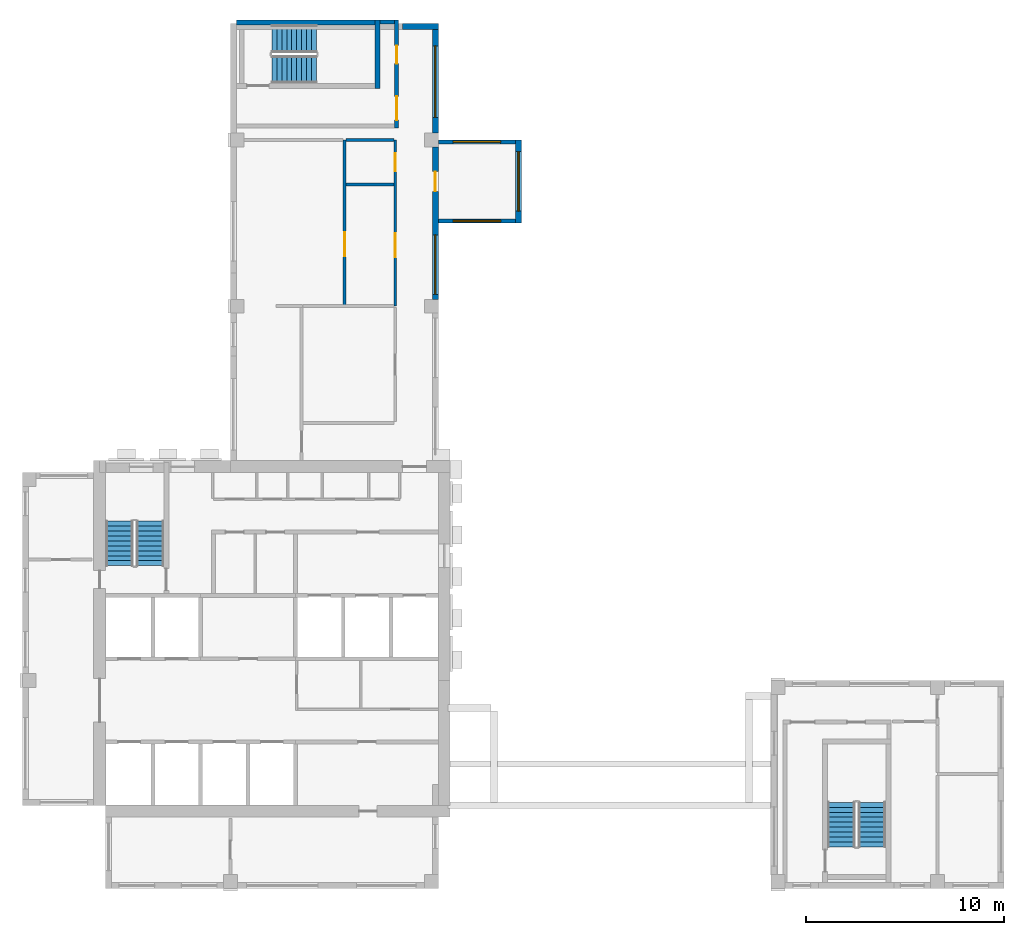
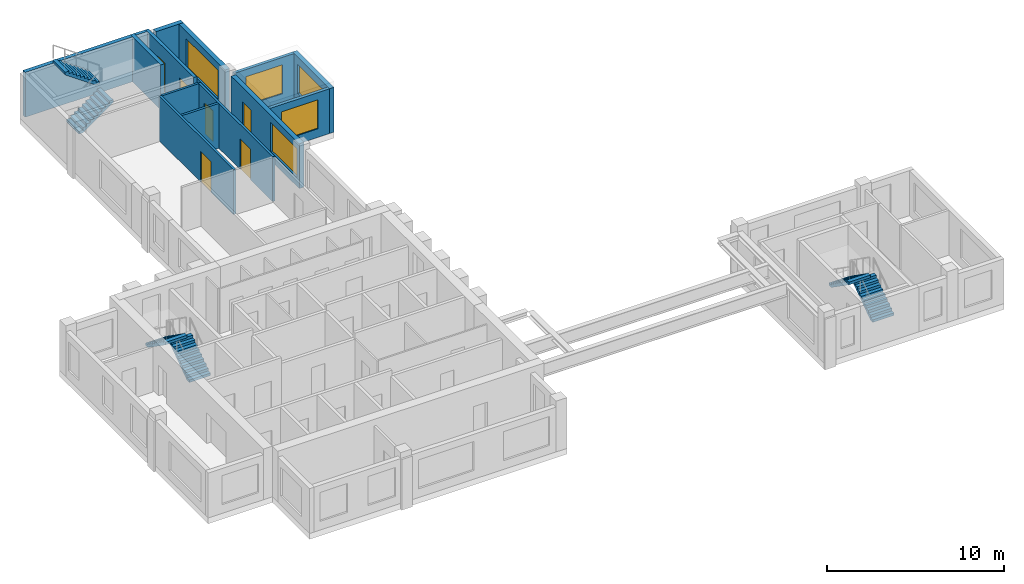
# One storey, part 5 of 8: 14 walls, 6 doors, 6 stair flights, 5 windows, 11 openings, 3 elements without a shape of their own.
"""IFC4 building model written with IfcOpenShell, lengths in metres."""

from ifc_helpers import new_model, si_unit, direction, frame, frame_2d, origin, place, context, subcontext, project, spatial, polyline, rectangle, outline, extrude, source, transform, mapped, material, layer, layer_set, type_object, element, fill, aggregate, save


model = new_model("IFC4")

# Units and contexts
model_context = context("Model", 3, precision=1e-05, world=origin(), true_north=direction((0.0, 1.0)))
body_context = subcontext(model_context, "Body", "Model", "MODEL_VIEW")
ifc_project = project(units=[si_unit("LENGTHUNIT", "METRE"), si_unit("AREAUNIT", "SQUARE_METRE"), si_unit("VOLUMEUNIT", "CUBIC_METRE"), si_unit("PLANEANGLEUNIT", "RADIAN"), si_unit("MASSUNIT", "GRAM", prefix="KILO")], contexts=[model_context])

# Site, building, storey
site_placement = place(None, origin())
site = spatial("IfcSite", under=ifc_project, at=site_placement, CompositionType="ELEMENT")
building_placement = place(site_placement, origin())
building = spatial("IfcBuilding", under=site, at=building_placement, Name="Aurelian Terraces", CompositionType="ELEMENT")
storey_placement = place(building_placement, frame((0.0, 0.0, 302.0)))
storey = spatial("IfcBuildingStorey", under=building, at=storey_placement, Name="L69", CompositionType="ELEMENT", Elevation=302.0)

# Wall, opening, window
ifc_material_1 = material(Name="Concrete fc' 40 MPa", Category="concrete")
ifc_layer_1 = layer(ifc_material_1, 0.3)
ifc_layer_set_1 = layer_set([ifc_layer_1], Name="BOX BEARING WALL 300")
wall_type_1 = type_object("IfcWallType", Name="BOX BEARING WALL 300", PredefinedType="SOLIDWALL", material=ifc_layer_set_1)
wall_1_placement = place(storey_placement, frame((25.05, 33.6, 0.0), z_axis=(0.0, 0.0, 1.0), x_axis=(0.0, 1.0, 0.0)))
wall_1 = element("IfcWall", 1, at=wall_1_placement, inside=storey, type_object=wall_type_1, Name="Box wall L69 J90", PredefinedType="SOLIDWALL", context=body_context, shape_type="SweptSolid", body=[
    extrude(rectangle(XDim=4.2, YDim=0.3, at=frame_2d((2.1, 0.0))), origin(), (0.0, 0.0, 1.0), 3.1),
])
shared_shape_1 = source(origin(), body_context, "Body", "SweptSolid", [
    extrude(rectangle(XDim=3.0, YDim=2.0, at=frame_2d((1.5, 1.0))), frame((0.0, 0.16, 0.0), z_axis=(0.0, -1.0, 0.0), x_axis=(1.0, 0.0, 0.0)), (0.0, 0.0, 1.0), 0.32),
])
opening_1_placement = place(wall_1_placement, frame((0.6, 0.0, 0.6)))
opening_1 = element("IfcOpeningElement", 2, at=opening_1_placement, cuts=wall_1, Name="Opening W3020", PredefinedType="OPENING", context=body_context, shape_type="MappedRepresentation", body=[
    mapped(shared_shape_1, transform((0.0, 0.0, 0.0), scale=1.0)),
])
ifc_material_2 = material(Name="Clear glazing", Category="glass")
window_type_1 = type_object("IfcWindowType", Name="W-3000x2000", PartitioningType="SINGLE_PANEL", PredefinedType="WINDOW", material=ifc_material_2)
shared_shape_2 = source(origin(), body_context, "Body", "SweptSolid", [
    extrude(rectangle(XDim=3.0, YDim=2.0, at=frame_2d((1.5, 1.0))), frame((0.0, 0.03, 0.0), z_axis=(0.0, -1.0, 0.0), x_axis=(1.0, 0.0, 0.0)), (0.0, 0.0, 1.0), 0.06),
])
window_1_placement = place(opening_1_placement, origin())
window_1 = element("IfcWindow", 3, at=window_1_placement, inside=storey, type_object=window_type_1, Name="Window L69 J90-F1", OverallHeight=2.0, OverallWidth=3.0, PartitioningType="SINGLE_PANEL", PredefinedType="WINDOW", context=body_context, shape_type="MappedRepresentation", body=[
    mapped(shared_shape_2, transform((0.0, 0.0, 0.0), scale=1.0)),
])
fill(opening_1, window_1)

# Wall, openings, window, door
ifc_material_3 = material(Name="Terracotta rainscreen cladding", Category="masonry")
ifc_layer_2 = layer(ifc_material_3, 0.3)
ifc_layer_set_2 = layer_set([ifc_layer_2], Name="EW-300")
wall_type_2 = type_object("IfcWallType", Name="EW-300", PredefinedType="STANDARD", material=ifc_layer_set_2)
shared_shape_3 = source(origin(), body_context, "Body", "SweptSolid", [
    extrude(rectangle(XDim=7.7, YDim=0.3, at=frame_2d((3.85, 0.0))), origin(), (0.0, 0.0, 1.0), 3.1),
])
wall_2_placement = place(storey_placement, frame((20.85, 29.75, 0.0), z_axis=(0.0, 0.0, 1.0), x_axis=(0.0, 1.0, 0.0)))
wall_2 = element("IfcWall", 4, at=wall_2_placement, inside=storey, type_object=wall_type_2, Name="External wall L69 F02.7", PredefinedType="STANDARD", context=body_context, shape_type="MappedRepresentation", body=[
    mapped(shared_shape_3, transform((0.0, 0.0, 0.0), scale=1.0)),
])
opening_2_placement = place(wall_2_placement, frame((0.25, 0.0, 0.6)))
opening_2 = element("IfcOpeningElement", 5, at=opening_2_placement, cuts=wall_2, Name="Opening W3020", PredefinedType="OPENING", context=body_context, shape_type="MappedRepresentation", body=[
    mapped(shared_shape_1, transform((0.0, 0.0, 0.0), scale=1.0)),
])
shared_shape_4 = source(origin(), body_context, "Body", "SweptSolid", [
    extrude(rectangle(XDim=1.0, YDim=2.1, at=frame_2d((0.5, 1.05))), frame((0.0, 0.16, 0.0), z_axis=(0.0, -1.0, 0.0), x_axis=(1.0, 0.0, 0.0)), (0.0, 0.0, 1.0), 0.32),
])
opening_3_placement = place(wall_2_placement, frame((5.45, 0.0, 0.0)))
opening_3 = element("IfcOpeningElement", 6, at=opening_3_placement, cuts=wall_2, Name="Opening 869001", PredefinedType="OPENING", context=body_context, shape_type="MappedRepresentation", body=[
    mapped(shared_shape_4, transform((0.0, 0.0, 0.0), scale=1.0)),
])
window_2_placement = place(opening_2_placement, origin())
window_2 = element("IfcWindow", 7, at=window_2_placement, inside=storey, type_object=window_type_1, Name="Window L69 L69-F02-07-0", OverallHeight=2.0, OverallWidth=3.0, PartitioningType="SINGLE_PANEL", PredefinedType="WINDOW", context=body_context, shape_type="MappedRepresentation", body=[
    mapped(shared_shape_2, transform((0.0, 0.0, 0.0), scale=1.0)),
])
fill(opening_2, window_2)
ifc_material_4 = material(Name="Timber door leaf", Category="wood")
door_type_1 = type_object("IfcDoorType", Name="Room door 1000x2100 left", OperationType="SINGLE_SWING_LEFT", PredefinedType="DOOR", material=ifc_material_4)
shared_shape_5 = source(origin(), body_context, "Body", "SweptSolid", [
    extrude(rectangle(XDim=1.0, YDim=2.1, at=frame_2d((0.5, 1.05))), frame((0.0, 0.025, 0.0), z_axis=(0.0, -1.0, 0.0), x_axis=(1.0, 0.0, 0.0)), (0.0, 0.0, 1.0), 0.05),
])
door_1_placement = place(opening_3_placement, origin())
door_1 = element("IfcDoor", 8, at=door_1_placement, inside=storey, type_object=door_type_1, Name="Door 869001", OperationType="SINGLE_SWING_LEFT", OverallHeight=2.1, OverallWidth=1.0, PredefinedType="DOOR", context=body_context, shape_type="MappedRepresentation", body=[
    mapped(shared_shape_5, transform((0.0, 0.0, 0.0), scale=1.0)),
])
fill(opening_3, door_1)

# Wall, opening, window
ifc_layer_3 = layer(ifc_material_1, 0.2)
ifc_layer_set_3 = layer_set([ifc_layer_3], Name="BOX BEARING WALL 200")
wall_type_3 = type_object("IfcWallType", Name="BOX BEARING WALL 200", PredefinedType="SOLIDWALL", material=ifc_layer_set_3)
shared_shape_6 = source(origin(), body_context, "Body", "SweptSolid", [
    extrude(rectangle(XDim=3.9, YDim=0.2, at=frame_2d((1.95, 0.0))), origin(), (0.0, 0.0, 1.0), 3.1),
])
wall_3_placement = place(storey_placement, frame((21.0, 33.7, 0.0), z_axis=(0.0, 0.0, 1.0), x_axis=(1.0, 0.0, 0.0)))
wall_3 = element("IfcWall", 9, at=wall_3_placement, inside=storey, type_object=wall_type_3, Name="Box return L69 J90.1", PredefinedType="SOLIDWALL", context=body_context, shape_type="MappedRepresentation", body=[
    mapped(shared_shape_6, transform((0.0, 0.0, 0.0), scale=1.0)),
])
shared_shape_7 = source(origin(), body_context, "Body", "SweptSolid", [
    extrude(rectangle(XDim=2.4, YDim=2.0, at=frame_2d((1.2, 1.0))), frame((0.0, 0.11, 0.0), z_axis=(0.0, -1.0, 0.0), x_axis=(1.0, 0.0, 0.0)), (0.0, 0.0, 1.0), 0.22),
])
opening_4_placement = place(wall_3_placement, frame((0.75, 0.0, 0.6)))
opening_4 = element("IfcOpeningElement", 10, at=opening_4_placement, cuts=wall_3, Name="Opening W2420", PredefinedType="OPENING", context=body_context, shape_type="MappedRepresentation", body=[
    mapped(shared_shape_7, transform((0.0, 0.0, 0.0), scale=1.0)),
])
window_type_2 = type_object("IfcWindowType", Name="W-2400x2000", PartitioningType="SINGLE_PANEL", PredefinedType="WINDOW", material=ifc_material_2)
shared_shape_8 = source(origin(), body_context, "Body", "SweptSolid", [
    extrude(rectangle(XDim=2.4, YDim=2.0, at=frame_2d((1.2, 1.0))), frame((0.0, 0.03, 0.0), z_axis=(0.0, -1.0, 0.0), x_axis=(1.0, 0.0, 0.0)), (0.0, 0.0, 1.0), 0.06),
])
window_3_placement = place(opening_4_placement, origin())
window_3 = element("IfcWindow", 11, at=window_3_placement, inside=storey, type_object=window_type_2, Name="Window L69 J90-S1", OverallHeight=2.0, OverallWidth=2.4, PartitioningType="SINGLE_PANEL", PredefinedType="WINDOW", context=body_context, shape_type="MappedRepresentation", body=[
    mapped(shared_shape_8, transform((0.0, 0.0, 0.0), scale=1.0)),
])
fill(opening_4, window_3)

wall_4_placement = place(storey_placement, frame((21.0, 37.7, 0.0), z_axis=(0.0, 0.0, 1.0), x_axis=(1.0, 0.0, 0.0)))
wall_4 = element("IfcWall", 12, at=wall_4_placement, inside=storey, type_object=wall_type_3, Name="Box return L69 J90.2", PredefinedType="SOLIDWALL", context=body_context, shape_type="MappedRepresentation", body=[
    mapped(shared_shape_6, transform((0.0, 0.0, 0.0), scale=1.0)),
])
opening_5_placement = place(wall_4_placement, frame((0.75, 0.0, 0.6)))
opening_5 = element("IfcOpeningElement", 13, at=opening_5_placement, cuts=wall_4, Name="Opening W2420", PredefinedType="OPENING", context=body_context, shape_type="MappedRepresentation", body=[
    mapped(shared_shape_7, transform((0.0, 0.0, 0.0), scale=1.0)),
])
window_4_placement = place(opening_5_placement, origin())
window_4 = element("IfcWindow", 14, at=window_4_placement, inside=storey, type_object=window_type_2, Name="Window L69 J90-S2", OverallHeight=2.0, OverallWidth=2.4, PartitioningType="SINGLE_PANEL", PredefinedType="WINDOW", context=body_context, shape_type="MappedRepresentation", body=[
    mapped(shared_shape_8, transform((0.0, 0.0, 0.0), scale=1.0)),
])
fill(opening_5, window_4)

shared_shape_9 = source(origin(), body_context, "Body", "SweptSolid", [
    extrude(rectangle(XDim=5.53, YDim=0.3, at=frame_2d((2.765, 0.0))), origin(), (0.0, 0.0, 1.0), 3.1),
])
wall_5_placement = place(storey_placement, frame((20.85, 38.15, 0.0), z_axis=(0.0, 0.0, 1.0), x_axis=(0.0, 1.0, 0.0)))
wall_5 = element("IfcWall", 15, at=wall_5_placement, inside=storey, type_object=wall_type_2, Name="External wall L69 F02.8", PredefinedType="STANDARD", context=body_context, shape_type="MappedRepresentation", body=[
    mapped(shared_shape_9, transform((0.0, 0.0, 0.0), scale=1.0)),
])
shared_shape_10 = source(origin(), body_context, "Body", "SweptSolid", [
    extrude(rectangle(XDim=3.6, YDim=2.0, at=frame_2d((1.8, 1.0))), frame((0.0, 0.16, 0.0), z_axis=(0.0, -1.0, 0.0), x_axis=(1.0, 0.0, 0.0)), (0.0, 0.0, 1.0), 0.32),
])
opening_6_placement = place(wall_5_placement, frame((0.79, 0.0, 0.6)))
opening_6 = element("IfcOpeningElement", 16, at=opening_6_placement, cuts=wall_5, Name="Opening W3620", PredefinedType="OPENING", context=body_context, shape_type="MappedRepresentation", body=[
    mapped(shared_shape_10, transform((0.0, 0.0, 0.0), scale=1.0)),
])
window_type_3 = type_object("IfcWindowType", Name="W-3600x2000", PartitioningType="SINGLE_PANEL", PredefinedType="WINDOW", material=ifc_material_2)
shared_shape_11 = source(origin(), body_context, "Body", "SweptSolid", [
    extrude(rectangle(XDim=3.6, YDim=2.0, at=frame_2d((1.8, 1.0))), frame((0.0, 0.03, 0.0), z_axis=(0.0, -1.0, 0.0), x_axis=(1.0, 0.0, 0.0)), (0.0, 0.0, 1.0), 0.06),
])
window_5_placement = place(opening_6_placement, origin())
window_5 = element("IfcWindow", 17, at=window_5_placement, inside=storey, type_object=window_type_3, Name="Window L69 L69-F02-08-0", OverallHeight=2.0, OverallWidth=3.6, PartitioningType="SINGLE_PANEL", PredefinedType="WINDOW", context=body_context, shape_type="MappedRepresentation", body=[
    mapped(shared_shape_11, transform((0.0, 0.0, 0.0), scale=1.0)),
])
fill(opening_6, window_5)

# Walls
shared_shape_12 = source(origin(), body_context, "Body", "SweptSolid", [
    extrude(rectangle(XDim=1.8, YDim=0.3, at=frame_2d((0.9, 0.0))), origin(), (0.0, 0.0, 1.0), 3.1),
])
wall_6_placement = place(storey_placement, frame((21.0, 43.53, 0.0), z_axis=(0.0, 0.0, 1.0), x_axis=(-1.0, 0.0, 0.0)))
element("IfcWall", 18, at=wall_6_placement, inside=storey, type_object=wall_type_2, Name="External wall L69 F03.9", PredefinedType="STANDARD", context=body_context, shape_type="MappedRepresentation", body=[
    mapped(shared_shape_12, transform((0.0, 0.0, 0.0), scale=1.0)),
])
ifc_layer_4 = layer(ifc_material_1, 0.25)
ifc_layer_set_4 = layer_set([ifc_layer_4], Name="Stair enclosure wall 250")
wall_type_4 = type_object("IfcWallType", Name="Stair enclosure wall 250", PredefinedType="SOLIDWALL", material=ifc_layer_set_4)
shared_shape_13 = source(origin(), body_context, "Body", "SweptSolid", [
    extrude(rectangle(XDim=7.0, YDim=0.25, at=frame_2d((3.5, 0.0))), origin(), (0.0, 0.0, 1.0), 3.1),
])
wall_7_placement = place(storey_placement, frame((10.8, 43.725, 0.0), z_axis=(0.0, 0.0, 1.0), x_axis=(1.0, 0.0, 0.0)))
element("IfcWall", 19, at=wall_7_placement, inside=storey, type_object=wall_type_4, Name="L69 core wall ST-S3U-E", PredefinedType="SOLIDWALL", context=body_context, shape_type="MappedRepresentation", body=[
    mapped(shared_shape_13, transform((0.0, 0.0, 0.0), scale=1.0)),
])
shared_shape_14 = source(origin(), body_context, "Body", "SweptSolid", [
    extrude(rectangle(XDim=3.45, YDim=0.25, at=frame_2d((1.725, 0.0))), origin(), (0.0, 0.0, 1.0), 3.1),
])
wall_8_placement = place(storey_placement, frame((17.925, 40.4, 0.0), z_axis=(0.0, 0.0, 1.0), x_axis=(0.0, 1.0, 0.0)))
element("IfcWall", 20, at=wall_8_placement, inside=storey, type_object=wall_type_4, Name="L69 core wall ST-S3U-N", PredefinedType="SOLIDWALL", context=body_context, shape_type="MappedRepresentation", body=[
    mapped(shared_shape_14, transform((0.0, 0.0, 0.0), scale=1.0)),
])

# Wall, openings, doors
ifc_material_5 = material(Name="Gypsum board on steel studs", Category="steel")
ifc_layer_5 = layer(ifc_material_5, 0.2)
ifc_layer_set_5 = layer_set([ifc_layer_5], Name="Core partition 200")
wall_type_5 = type_object("IfcWallType", Name="Core partition 200", PredefinedType="PARTITIONING", material=ifc_layer_set_5)
shared_shape_15 = source(origin(), body_context, "Body", "SweptSolid", [
    extrude(rectangle(XDim=5.45, YDim=0.2, at=frame_2d((2.725, 0.0))), origin(), (0.0, 0.0, 1.0), 3.1),
])
wall_9_placement = place(storey_placement, frame((18.9, 38.4, 0.0), z_axis=(0.0, 0.0, 1.0), x_axis=(0.0, 1.0, 0.0)))
wall_9 = element("IfcWall", 21, at=wall_9_placement, inside=storey, type_object=wall_type_5, Name="L69 core wall ST-S3U-BN", PredefinedType="PARTITIONING", context=body_context, shape_type="MappedRepresentation", body=[
    mapped(shared_shape_15, transform((0.0, 0.0, 0.0), scale=1.0)),
])
shared_shape_16 = source(origin(), body_context, "Body", "SweptSolid", [
    extrude(rectangle(XDim=1.2, YDim=2.1, at=frame_2d((0.6, 1.05))), frame((0.0, 0.11, 0.0), z_axis=(0.0, -1.0, 0.0), x_axis=(1.0, 0.0, 0.0)), (0.0, 0.0, 1.0), 0.22),
])
opening_7_placement = place(wall_9_placement, frame((0.4, 0.0, 0.0)))
opening_7 = element("IfcOpeningElement", 22, at=opening_7_placement, cuts=wall_9, Name="Opening 67226", PredefinedType="OPENING", context=body_context, shape_type="MappedRepresentation", body=[
    mapped(shared_shape_16, transform((0.0, 0.0, 0.0), scale=1.0)),
])
shared_shape_17 = source(origin(), body_context, "Body", "SweptSolid", [
    extrude(rectangle(XDim=0.9, YDim=2.1, at=frame_2d((0.45, 1.05))), frame((0.0, 0.11, 0.0), z_axis=(0.0, -1.0, 0.0), x_axis=(1.0, 0.0, 0.0)), (0.0, 0.0, 1.0), 0.22),
])
opening_8_placement = place(wall_9_placement, frame((3.25, 0.0, 0.0)))
opening_8 = element("IfcOpeningElement", 23, at=opening_8_placement, cuts=wall_9, Name="Opening 67227", PredefinedType="OPENING", context=body_context, shape_type="MappedRepresentation", body=[
    mapped(shared_shape_17, transform((0.0, 0.0, 0.0), scale=1.0)),
])
ifc_material_6 = material(Name="Steel door leaf", Category="steel")
door_type_2 = type_object("IfcDoorType", Name="Core riser door 900x2100 right", OperationType="SINGLE_SWING_RIGHT", PredefinedType="DOOR", material=ifc_material_6)
shared_shape_18 = source(origin(), body_context, "Body", "SweptSolid", [
    extrude(rectangle(XDim=0.9, YDim=2.1, at=frame_2d((0.45, 1.05))), frame((0.0, 0.025, 0.0), z_axis=(0.0, -1.0, 0.0), x_axis=(1.0, 0.0, 0.0)), (0.0, 0.0, 1.0), 0.05),
])
door_2_placement = place(opening_8_placement, origin())
door_2 = element("IfcDoor", 24, at=door_2_placement, inside=storey, type_object=door_type_2, Name="Riser door 67227", OperationType="SINGLE_SWING_RIGHT", OverallHeight=2.1, OverallWidth=0.9, PredefinedType="DOOR", context=body_context, shape_type="MappedRepresentation", body=[
    mapped(shared_shape_18, transform((0.0, 0.0, 0.0), scale=1.0)),
])
fill(opening_8, door_2)
door_type_3 = type_object("IfcDoorType", Name="Core fire door 1200x2100", OperationType="SINGLE_SWING_LEFT", PredefinedType="DOOR", material=ifc_material_6)
shared_shape_19 = source(origin(), body_context, "Body", "SweptSolid", [
    extrude(rectangle(XDim=1.2, YDim=2.1, at=frame_2d((0.6, 1.05))), frame((0.0, 0.025, 0.0), z_axis=(0.0, -1.0, 0.0), x_axis=(1.0, 0.0, 0.0)), (0.0, 0.0, 1.0), 0.05),
])
door_3_placement = place(opening_7_placement, origin())
door_3 = element("IfcDoor", 25, at=door_3_placement, inside=storey, type_object=door_type_3, Name="Vestibule door 67226", OperationType="SINGLE_SWING_LEFT", OverallHeight=2.1, OverallWidth=1.2, PredefinedType="DOOR", context=body_context, shape_type="MappedRepresentation", body=[
    mapped(shared_shape_19, transform((0.0, 0.0, 0.0), scale=1.0)),
])
fill(opening_7, door_3)

# Wall
shared_shape_20 = source(origin(), body_context, "Body", "SweptSolid", [
    extrude(rectangle(XDim=0.75, YDim=0.2, at=frame_2d((0.375, 0.0))), origin(), (0.0, 0.0, 1.0), 3.1),
])
wall_10_placement = place(storey_placement, frame((18.05, 43.75, 0.0), z_axis=(0.0, 0.0, 1.0), x_axis=(1.0, 0.0, 0.0)))
element("IfcWall", 26, at=wall_10_placement, inside=storey, type_object=wall_type_5, Name="L69 core wall ST-S3U-RE", PredefinedType="PARTITIONING", context=body_context, shape_type="MappedRepresentation", body=[
    mapped(shared_shape_20, transform((0.0, 0.0, 0.0), scale=1.0)),
])

# Wall, opening, door
ifc_layer_6 = layer(ifc_material_5, 0.15)
ifc_layer_set_6 = layer_set([ifc_layer_6], Name="Partition 150")
wall_type_6 = type_object("IfcWallType", Name="Partition 150", PredefinedType="PARTITIONING", material=ifc_layer_set_6)
shared_shape_21 = source(origin(), body_context, "Body", "SweptSolid", [
    extrude(rectangle(XDim=8.4, YDim=0.15, at=frame_2d((4.2, 0.0))), origin(), (0.0, 0.0, 1.0), 3.1),
])
wall_11_placement = place(storey_placement, frame((16.275, 29.4, 0.0), z_axis=(0.0, 0.0, 1.0), x_axis=(0.0, 1.0, 0.0)))
wall_11 = element("IfcWall", 27, at=wall_11_placement, inside=storey, type_object=wall_type_6, Name="Partition", PredefinedType="PARTITIONING", context=body_context, shape_type="MappedRepresentation", body=[
    mapped(shared_shape_21, transform((0.0, 0.0, 0.0), scale=1.0)),
])
shared_shape_22 = source(origin(), body_context, "Body", "SweptSolid", [
    extrude(rectangle(XDim=1.2, YDim=2.1, at=frame_2d((0.6, 1.05))), frame((0.0, 0.085, 0.0), z_axis=(0.0, -1.0, 0.0), x_axis=(1.0, 0.0, 0.0)), (0.0, 0.0, 1.0), 0.17),
])
opening_9_placement = place(wall_11_placement, frame((2.5242, 0.0, 0.0)))
opening_9 = element("IfcOpeningElement", 28, at=opening_9_placement, cuts=wall_11, Name="Opening 769007", PredefinedType="OPENING", context=body_context, shape_type="MappedRepresentation", body=[
    mapped(shared_shape_22, transform((0.0, 0.0, 0.0), scale=1.0)),
])
door_type_4 = type_object("IfcDoorType", Name="Room door 1200x2100 left", OperationType="SINGLE_SWING_LEFT", PredefinedType="DOOR", material=ifc_material_4)
door_4_placement = place(opening_9_placement, origin())
door_4 = element("IfcDoor", 29, at=door_4_placement, inside=storey, type_object=door_type_4, Name="Door 769007", OperationType="SINGLE_SWING_LEFT", OverallHeight=2.1, OverallWidth=1.2, PredefinedType="DOOR", context=body_context, shape_type="MappedRepresentation", body=[
    mapped(shared_shape_19, transform((0.0, 0.0, 0.0), scale=1.0)),
])
fill(opening_9, door_4)

# Wall, openings, doors
ifc_layer_7 = layer(ifc_material_5, 0.15)
ifc_layer_set_7 = layer_set([ifc_layer_7], Name="Fire partition 150")
wall_type_7 = type_object("IfcWallType", Name="Fire partition 150", PredefinedType="PARTITIONING", material=ifc_layer_set_7)
wall_12_placement = place(storey_placement, frame((18.825, 29.4, 0.0), z_axis=(0.0, 0.0, 1.0), x_axis=(0.0, 1.0, 0.0)))
wall_12 = element("IfcWall", 30, at=wall_12_placement, inside=storey, type_object=wall_type_7, Name="Corridor wall", PredefinedType="PARTITIONING", context=body_context, shape_type="MappedRepresentation", body=[
    mapped(shared_shape_21, transform((0.0, 0.0, 0.0), scale=1.0)),
])
opening_10_placement = place(wall_12_placement, frame((2.4742, 0.0, 0.0)))
opening_10 = element("IfcOpeningElement", 31, at=opening_10_placement, cuts=wall_12, Name="Opening 769006", PredefinedType="OPENING", context=body_context, shape_type="MappedRepresentation", body=[
    mapped(shared_shape_22, transform((0.0, 0.0, 0.0), scale=1.0)),
])
shared_shape_23 = source(origin(), body_context, "Body", "SweptSolid", [
    extrude(rectangle(XDim=0.9, YDim=2.1, at=frame_2d((0.45, 1.05))), frame((0.0, 0.085, 0.0), z_axis=(0.0, -1.0, 0.0), x_axis=(1.0, 0.0, 0.0)), (0.0, 0.0, 1.0), 0.17),
])
opening_11_placement = place(wall_12_placement, frame((6.8242, 0.0, 0.0)))
opening_11 = element("IfcOpeningElement", 32, at=opening_11_placement, cuts=wall_12, Name="Opening 769008", PredefinedType="OPENING", context=body_context, shape_type="MappedRepresentation", body=[
    mapped(shared_shape_23, transform((0.0, 0.0, 0.0), scale=1.0)),
])
door_type_5 = type_object("IfcDoorType", Name="Entrance fire door 900x2100 right", OperationType="SINGLE_SWING_RIGHT", PredefinedType="DOOR", material=ifc_material_6)
door_5_placement = place(opening_11_placement, origin())
door_5 = element("IfcDoor", 33, at=door_5_placement, inside=storey, type_object=door_type_5, Name="Door 769008", OperationType="SINGLE_SWING_RIGHT", OverallHeight=2.1, OverallWidth=0.9, PredefinedType="DOOR", context=body_context, shape_type="MappedRepresentation", body=[
    mapped(shared_shape_18, transform((0.0, 0.0, 0.0), scale=1.0)),
])
fill(opening_11, door_5)
door_type_6 = type_object("IfcDoorType", Name="Entrance fire door 1200x2100 right", OperationType="SINGLE_SWING_RIGHT", PredefinedType="DOOR", material=ifc_material_6)
door_6_placement = place(opening_10_placement, origin())
door_6 = element("IfcDoor", 34, at=door_6_placement, inside=storey, type_object=door_type_6, Name="Door 769006", OperationType="SINGLE_SWING_RIGHT", OverallHeight=2.1, OverallWidth=1.2, PredefinedType="DOOR", context=body_context, shape_type="MappedRepresentation", body=[
    mapped(shared_shape_19, transform((0.0, 0.0, 0.0), scale=1.0)),
])
fill(opening_10, door_6)

# Walls
shared_shape_24 = source(origin(), body_context, "Body", "SweptSolid", [
    extrude(rectangle(XDim=2.4, YDim=0.15, at=frame_2d((1.2, 0.0))), origin(), (0.0, 0.0, 1.0), 3.1),
])
wall_13_placement = place(storey_placement, frame((18.75, 35.5483, 0.0), z_axis=(0.0, 0.0, 1.0), x_axis=(-1.0, 0.0, 0.0)))
element("IfcWall", 35, at=wall_13_placement, inside=storey, type_object=wall_type_6, Name="Partition", PredefinedType="PARTITIONING", context=body_context, shape_type="MappedRepresentation", body=[
    mapped(shared_shape_24, transform((0.0, 0.0, 0.0), scale=1.0)),
])
wall_14_placement = place(storey_placement, frame((18.75, 37.8, 0.0), z_axis=(0.0, 0.0, 1.0), x_axis=(-1.0, 0.0, 0.0)))
element("IfcWall", 36, at=wall_14_placement, inside=storey, type_object=wall_type_7, Name="Party wall", PredefinedType="PARTITIONING", context=body_context, shape_type="MappedRepresentation", body=[
    mapped(shared_shape_24, transform((0.0, 0.0, 0.0), scale=1.0)),
])

# Stair, stair flights
stair_type = type_object("IfcStairType", Name="Stair 1400", PredefinedType="HALF_TURN_STAIR", material=ifc_material_1)
stair_1_placement = place(storey_placement, origin())
stair_1 = element("IfcStair", 37, at=stair_1_placement, inside=storey, type_object=stair_type, Name="L69 S1", PredefinedType="HALF_TURN_STAIR")
stair_flight_type = type_object("IfcStairFlightType", Name="Stair flight 1400", PredefinedType="STRAIGHT", material=ifc_material_1)
shared_shape_25 = source(origin(), body_context, "Body", "SweptSolid", [
    extrude(outline(polyline([(0.0, 0.0), (0.0, 0.175), (0.25, 0.175), (0.25, 0.35), (0.5, 0.35), (0.5, 0.525), (0.75, 0.525), (0.75, 0.7), (1.0, 0.7), (1.0, 0.875), (1.25, 0.875), (1.25, 1.05), (1.5, 1.05), (1.5, 1.225), (1.75, 1.225), (1.75, 1.4), (2.0, 1.4), (2.0, 1.575), (2.25, 1.575), (2.25, 1.75), (2.25, 1.3919), (0.2616, 0.0), (0.0, 0.0)])), frame((0.0, 0.7, 0.0), z_axis=(0.0, -1.0, 0.0), x_axis=(1.0, 0.0, 0.0)), (0.0, 0.0, 1.0), 1.4),
])
stair_flight_1_placement = place(storey_placement, frame((6.45, 16.3, 2e-08), z_axis=(0.0, 0.0, 1.0), x_axis=(0.0, 1.0, 0.0)))
stair_flight_1 = element("IfcStairFlight", 38, at=stair_flight_1_placement, type_object=stair_flight_type, Name="S1 flight 1", NumberOfRisers=10, NumberOfTreads=9, PredefinedType="STRAIGHT", RiserHeight=0.175, TreadLength=0.25, context=body_context, shape_type="MappedRepresentation", body=[
    mapped(shared_shape_25, transform((0.0, 0.0, 0.0), scale=1.0)),
])
stair_flight_2_placement = place(storey_placement, frame((4.9, 18.55, 1.75000002), z_axis=(0.0, 0.0, 1.0), x_axis=(0.0, -1.0, 0.0)))
stair_flight_2 = element("IfcStairFlight", 39, at=stair_flight_2_placement, type_object=stair_flight_type, Name="S1 flight 2", NumberOfRisers=10, NumberOfTreads=9, PredefinedType="STRAIGHT", RiserHeight=0.175, TreadLength=0.25, context=body_context, shape_type="MappedRepresentation", body=[
    mapped(shared_shape_25, transform((0.0, 0.0, 0.0), scale=1.0)),
])
aggregate(stair_1, [stair_flight_1, stair_flight_2])

stair_2_placement = place(storey_placement, origin())
stair_2 = element("IfcStair", 40, at=stair_2_placement, inside=storey, type_object=stair_type, Name="L69 S2", PredefinedType="HALF_TURN_STAIR")
stair_flight_3_placement = place(storey_placement, frame((42.9, 2.1, 2e-08), z_axis=(0.0, 0.0, 1.0), x_axis=(0.0, 1.0, 0.0)))
stair_flight_3 = element("IfcStairFlight", 41, at=stair_flight_3_placement, type_object=stair_flight_type, Name="S2 flight 1", NumberOfRisers=10, NumberOfTreads=9, PredefinedType="STRAIGHT", RiserHeight=0.175, TreadLength=0.25, context=body_context, shape_type="MappedRepresentation", body=[
    mapped(shared_shape_25, transform((0.0, 0.0, 0.0), scale=1.0)),
])
stair_flight_4_placement = place(storey_placement, frame((41.35, 4.35, 1.75000002), z_axis=(0.0, 0.0, 1.0), x_axis=(0.0, -1.0, 0.0)))
stair_flight_4 = element("IfcStairFlight", 42, at=stair_flight_4_placement, type_object=stair_flight_type, Name="S2 flight 2", NumberOfRisers=10, NumberOfTreads=9, PredefinedType="STRAIGHT", RiserHeight=0.175, TreadLength=0.25, context=body_context, shape_type="MappedRepresentation", body=[
    mapped(shared_shape_25, transform((0.0, 0.0, 0.0), scale=1.0)),
])
aggregate(stair_2, [stair_flight_3, stair_flight_4])

stair_3_placement = place(storey_placement, origin())
stair_3 = element("IfcStair", 43, at=stair_3_placement, inside=storey, type_object=stair_type, Name="L69 S3U", PredefinedType="HALF_TURN_STAIR")
stair_flight_5_placement = place(storey_placement, frame((12.6, 41.35, 2e-08), z_axis=(0.0, 0.0, 1.0), x_axis=(1.0, 0.0, 0.0)))
stair_flight_5 = element("IfcStairFlight", 44, at=stair_flight_5_placement, type_object=stair_flight_type, Name="S3U flight 1", NumberOfRisers=10, NumberOfTreads=9, PredefinedType="STRAIGHT", RiserHeight=0.175, TreadLength=0.25, context=body_context, shape_type="MappedRepresentation", body=[
    mapped(shared_shape_25, transform((0.0, 0.0, 0.0), scale=1.0)),
])
stair_flight_6_placement = place(storey_placement, frame((14.85, 42.9, 1.75000002), z_axis=(0.0, 0.0, 1.0), x_axis=(-1.0, 0.0, 0.0)))
stair_flight_6 = element("IfcStairFlight", 45, at=stair_flight_6_placement, type_object=stair_flight_type, Name="S3U flight 2", NumberOfRisers=10, NumberOfTreads=9, PredefinedType="STRAIGHT", RiserHeight=0.175, TreadLength=0.25, context=body_context, shape_type="MappedRepresentation", body=[
    mapped(shared_shape_25, transform((0.0, 0.0, 0.0), scale=1.0)),
])
aggregate(stair_3, [stair_flight_5, stair_flight_6])

save(model, "model.ifc")
